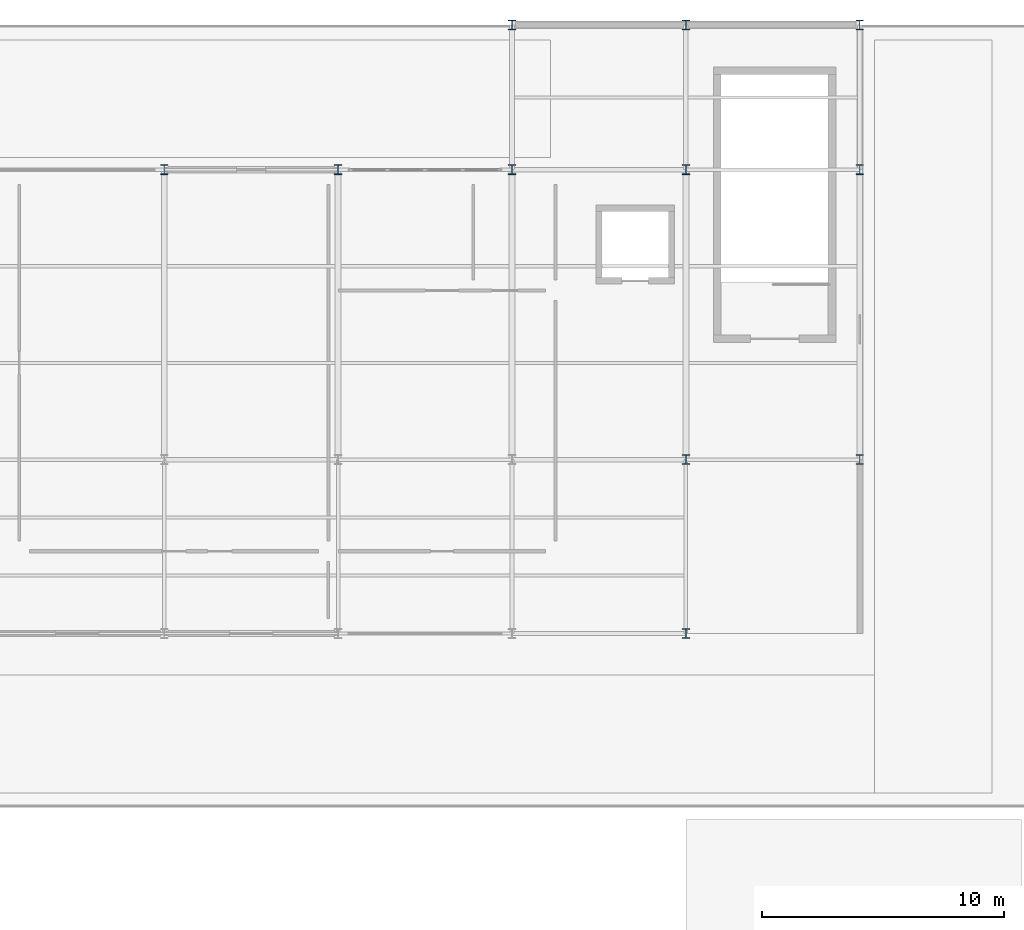
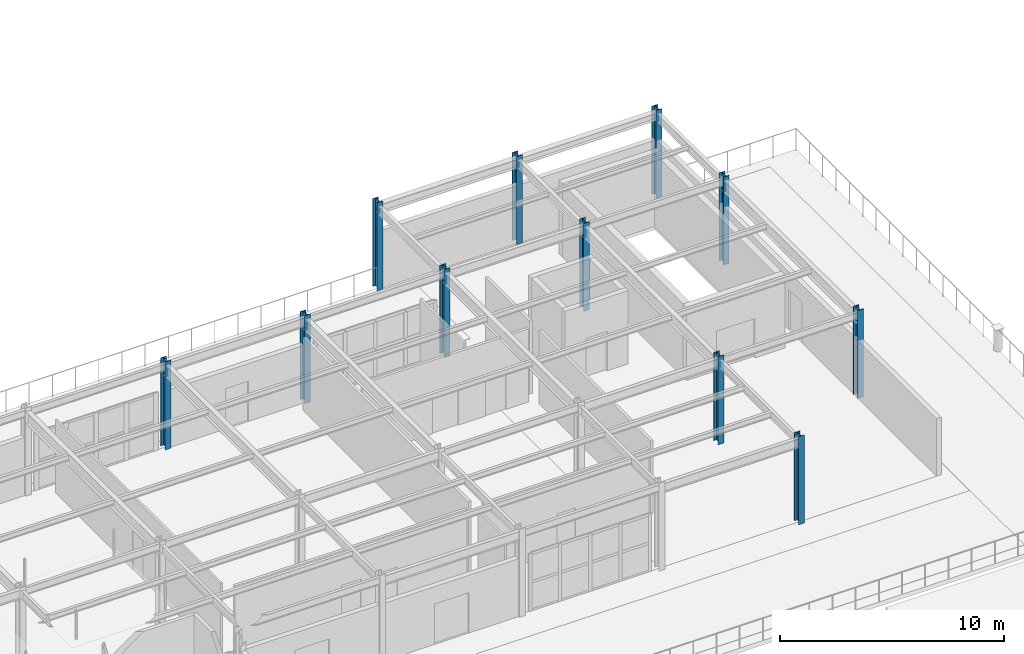
# One storey, part 8 of 41: 11 columns.
"""IFC4 building model written with IfcOpenShell, lengths in metres."""

from ifc_helpers import new_model, si_unit, direction, frame, origin, origin_2d, place, context, subcontext, project, spatial, i_section, extrude, material, material_profile, profile_set, type_object, element, save


model = new_model("IFC4")

# Units and contexts
model_context = context("Model", 3, precision=1e-05, world=origin(), true_north=direction((0.0, 1.0)))
body_context = subcontext(model_context, "Body", "Model", "MODEL_VIEW")
ifc_project = project(units=[si_unit("LENGTHUNIT", "METRE"), si_unit("AREAUNIT", "SQUARE_METRE"), si_unit("VOLUMEUNIT", "CUBIC_METRE"), si_unit("PLANEANGLEUNIT", "RADIAN"), si_unit("MASSUNIT", "GRAM", prefix="KILO")], contexts=[model_context])

# Site, building, storey
site_placement = place(None, origin())
site = spatial("IfcSite", under=ifc_project, at=site_placement, CompositionType="ELEMENT")
building_placement = place(site_placement, origin())
building = spatial("IfcBuilding", under=site, at=building_placement, Name="Solvadek Multi-Sports Hall", CompositionType="ELEMENT")
storey_placement = place(building_placement, frame((0.0, 0.0, 14.39990234375)))
storey = spatial("IfcBuildingStorey", under=building, at=storey_placement, Name="L03", CompositionType="ELEMENT", Elevation=14.39990234375)

# Columns
ifc_material = material(Name="Steel E350 (350 MPa)", Category="steel")
ifc_material_profile = material_profile(ifc_material, i_section(OverallWidth=0.300048828125, OverallDepth=0.39990234375, WebThickness=0.013427734375, FlangeThickness=0.02392578125, at=origin_2d()), Name="WPB 400")
ifc_profile_set = profile_set([ifc_material_profile], Name="Steel E350 (350 MPa)")
column_type = type_object("IfcColumnType", Name="STR-COL-WPB400", PredefinedType="COLUMN", material=ifc_profile_set)
for number, where, z_axis, x_axis, name in (
    (1, (36.0, 104.39990234375, 0.0), (0.0, 0.0, 1.0), (1.0, 0.0, 0.0), "L03 Column C-07 #79"),
    (2, (43.199951171875, 104.39990234375, 0.0), (0.0, 0.0, 1.0), (1.0, 0.0, 0.0), "L03 Column C-07 #95"),
    (3, (50.39990234375, 104.39990234375, 0.0), (0.0, 0.0, 1.0), (1.0, 0.0, 0.0), "L03 Column C-07 #111"),
    (4, (50.39990234375, 110.39990234375, 0.0), (0.0, 0.0, 1.0), (1.0, 0.0, 0.0), "L03 Column C-07 #112"),
    (5, (57.60009765625, 85.199951171875, 0.0), (0.0, 0.0, 1.0), (1.0, 0.0, 0.0), "L03 Column C-07 #125"),
    (6, (57.60009765625, 92.39990234375, 0.0), (0.0, 0.0, 1.0), (1.0, 0.0, 0.0), "L03 Column C-07 #126"),
    (7, (57.60009765625, 104.39990234375, 0.0), (0.0, 0.0, 1.0), (1.0, 0.0, 0.0), "L03 Column C-07 #127"),
    (8, (57.60009765625, 110.39990234375, 0.0), (0.0, 0.0, 1.0), (1.0, 0.0, 0.0), "L03 Column C-07 #128"),
    (9, (64.800048828125, 92.39990234375, 0.0), (0.0, 0.0, 1.0), (1.0, 0.0, 0.0), "L03 Column C-07 #141"),
    (10, (64.800048828125, 104.39990234375, 0.0), (0.0, 0.0, 1.0), (1.0, 0.0, 0.0), "L03 Column C-07 #142"),
    (11, (64.800048828125, 110.39990234375, 0.0), (0.0, 0.0, 1.0), (1.0, 0.0, 0.0), "L03 Column C-07 #143"),
):
    element("IfcColumn", number, at=place(storey_placement, frame(where, z_axis=z_axis, x_axis=x_axis)), inside=storey, type_object=column_type, Name=name, PredefinedType="COLUMN", context=body_context, shape_type="SweptSolid", body=[
        extrude(i_section(OverallWidth=0.300048828125, OverallDepth=0.39990234375, WebThickness=0.013427734375, FlangeThickness=0.02392578125, at=origin_2d()), origin(), (0.0, 0.0, 1.0), 4.800048828125),
    ])

save(model, "model.ifc")
